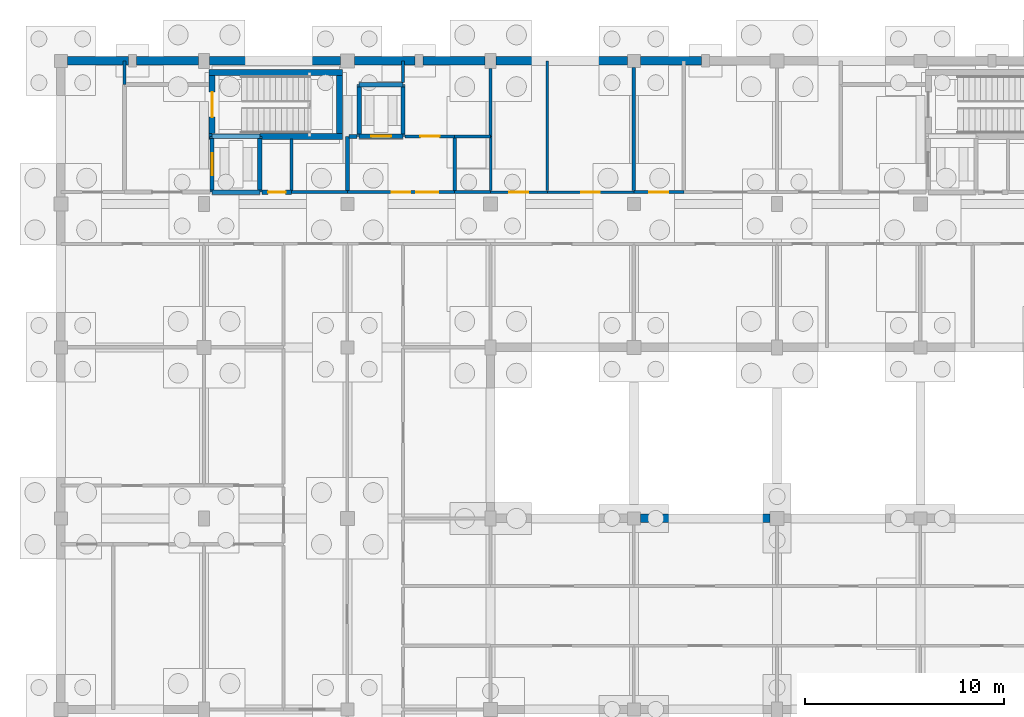
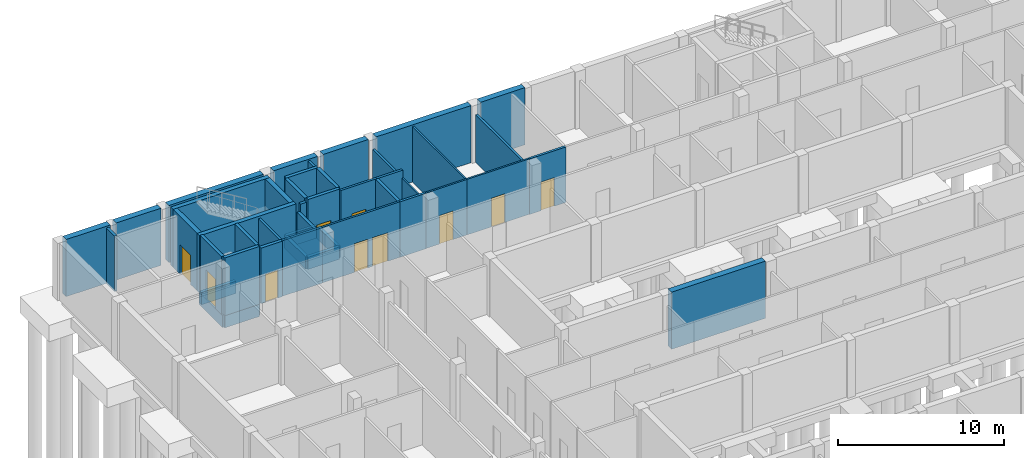
# One storey, part 12 of 17: 46 walls, 10 doors, 10 openings.
"""IFC4 building model written with IfcOpenShell, lengths in metres."""

import ifcopenshell
import ifcopenshell.guid

model = None  # the IFC model being written
_history = None  # IfcOwnerHistory: only IFC2X3 demands one
_inside = {}  # id of a spatial element -> (the spatial element, [elements in it])
_under = {}  # id of a project, library or spatial element -> (it, [spatial elements below it])
_declared = {}  # id of a project -> (the project, [libraries it declares])
_typed = {}  # id of a type object -> (the type object, [elements of that type])
_made_of = {}  # id of a material, layer set ... -> (it, [elements and type objects made of it])


def new_model(schema):
    """Start an empty IFC model of exactly this schema.

    Asked for "IFC4X3", IfcOpenShell would pick the latest addendum, in which some entities
    have other attributes; the version numbers below select the first issue.
    IFC2X3 requires an IfcOwnerHistory on every rooted entity: one is made here for all.
    """
    global model, _history
    if schema == "IFC4X3":
        model = ifcopenshell.file(schema_version=(4, 3, 0, 0))
    else:
        model = ifcopenshell.file(schema=schema)
    _inside.clear()
    _under.clear()
    _declared.clear()
    _typed.clear()
    _made_of.clear()
    _history = None
    if model.schema == "IFC2X3":
        org = make("IfcOrganization", Name="unknown")
        user = make(
            "IfcPersonAndOrganization",
            ThePerson=make("IfcPerson", FamilyName="unknown"),
            TheOrganization=org,
        )
        app = make(
            "IfcApplication",
            ApplicationDeveloper=org,
            Version="unknown",
            ApplicationFullName="unknown",
            ApplicationIdentifier="unknown",
        )
        _history = make(
            "IfcOwnerHistory",
            OwningUser=user,
            OwningApplication=app,
            ChangeAction="ADDED",
            CreationDate=0,
        )
    return model


def make(cls, **values):
    """One entity of the class cls with the attributes given. An attribute that is None is left unset."""
    return model.create_entity(
        cls, **{name: value for name, value in values.items() if value is not None}
    )


def rooted(cls, **values):
    """An entity with a GlobalId (a new one), such as an element, a storey or a relation."""
    return make(cls, GlobalId=ifcopenshell.guid.new(), OwnerHistory=_history, **values)


def si_unit(unit_type, name, prefix=None):
    """IfcSIUnit, for example si_unit("LENGTHUNIT", "METRE", prefix="MILLI")."""
    return make("IfcSIUnit", UnitType=unit_type, Prefix=prefix, Name=name)


def assignment(units):
    """IfcUnitAssignment: the units of a project."""
    return None if units is None else make("IfcUnitAssignment", Units=units)


def point(xyz):
    """IfcCartesianPoint."""
    return None if xyz is None else make("IfcCartesianPoint", Coordinates=xyz)


def direction(xyz):
    """IfcDirection."""
    return None if xyz is None else make("IfcDirection", DirectionRatios=xyz)


def frame(location, z_axis=None, x_axis=None):
    """IfcAxis2Placement3D, a coordinate frame: its origin and axes. An axis left out is left unset."""
    return make(
        "IfcAxis2Placement3D",
        Location=point(location),
        Axis=direction(z_axis),
        RefDirection=direction(x_axis),
    )


def frame_2d(location, x_axis=None):
    """IfcAxis2Placement2D, a coordinate frame in the plane: its origin and x axis."""
    return make(
        "IfcAxis2Placement2D", Location=point(location), RefDirection=direction(x_axis)
    )


def origin():
    """The frame at (0, 0, 0) with its axes left unset."""
    return frame((0.0, 0.0, 0.0))


def place(relative_to, where):
    """IfcLocalPlacement: puts the frame where relative to a parent placement (None: the world)."""
    return make(
        "IfcLocalPlacement", PlacementRelTo=relative_to, RelativePlacement=where
    )


def context(
    kind, dimensions, precision=None, world=None, true_north=None, identifier=None
):
    """IfcGeometricRepresentationContext, for example the 3D "Model" context."""
    return make(
        "IfcGeometricRepresentationContext",
        ContextIdentifier=identifier,
        ContextType=kind,
        CoordinateSpaceDimension=dimensions,
        Precision=precision,
        WorldCoordinateSystem=world,
        TrueNorth=true_north,
    )


def subcontext(parent, identifier, kind, view, scale=None):
    """IfcGeometricRepresentationSubContext, for example "Body" below "Model"."""
    return make(
        "IfcGeometricRepresentationSubContext",
        ContextIdentifier=identifier,
        ContextType=kind,
        ParentContext=parent,
        TargetScale=scale,
        TargetView=view,
    )


def project(units=None, contexts=None):
    """IfcProject with its units and contexts."""
    return rooted(
        "IfcProject",
        Name="project",
        RepresentationContexts=contexts,
        UnitsInContext=assignment(units),
    )


def spatial(cls, under=None, at=None, **own):
    """A site, building, storey or space (cls), placed at a placement, below another one or the project."""
    s = rooted(cls, ObjectPlacement=at, **own)
    if under is not None:
        _under.setdefault(under.id(), (under, []))[1].append(s)
    return s


def profile(cls, at=None, kind="AREA", **sizes):
    """A parametric profile (cls). Its sizes go by their IFC names, for example OverallWidth=200.0."""
    return make(cls, ProfileType=kind, Position=at, **sizes)


def rectangle(**sizes):
    """IfcRectangleProfileDef."""
    return profile("IfcRectangleProfileDef", **sizes)


def extrude(swept, where, along, depth):
    """IfcExtrudedAreaSolid: the profile swept, set in the frame where, extruded along a direction by depth."""
    return make(
        "IfcExtrudedAreaSolid",
        SweptArea=swept,
        Position=where,
        ExtrudedDirection=direction(along),
        Depth=depth,
    )


def shape(context_of_items, identifier, shape_type, items):
    """IfcShapeRepresentation: the items that make up one representation, for example the "Body"."""
    return make(
        "IfcShapeRepresentation",
        ContextOfItems=context_of_items,
        RepresentationIdentifier=identifier,
        RepresentationType=shape_type,
        Items=items,
    )


def material(Name=None, Category=None):
    """IfcMaterial."""
    return make("IfcMaterial", Name=Name, Category=Category)


def layer(
    of_material, thickness, ventilated=None, Name=None, Category=None, Priority=None
):
    """IfcMaterialLayer: one layer of a wall or slab, of a material (None: an air gap)."""
    return make(
        "IfcMaterialLayer",
        Material=of_material,
        LayerThickness=thickness,
        IsVentilated=ventilated,
        Name=Name,
        Category=Category,
        Priority=Priority,
    )


def layer_set(layers, Name=None):
    """IfcMaterialLayerSet."""
    return make("IfcMaterialLayerSet", MaterialLayers=layers, LayerSetName=Name)


def made_of(thing, what):
    """Note that an element or type object is made of a material, layer set ...; save() writes the relation."""
    if what is not None:
        _made_of.setdefault(what.id(), (what, []))[1].append(thing)
    return thing


def type_object(cls, material=None, **own):
    """A type object (cls), such as IfcWallType, which elements share."""
    return made_of(rooted(cls, **own), material)


def element(
    cls,
    number,
    at=None,
    inside=None,
    cuts=None,
    type_object=None,
    material=None,
    context=None,
    identifier="Body",
    shape_type=None,
    held_by="IfcProductDefinitionShape",
    body=None,
    shapes=None,
    **own,
):
    """One element of the class cls, such as IfcWall. Its Tag is "e" and its number.

    at: its placement. inside: the storey or other place that contains it. cuts: it is an
    opening in that element (IfcRelVoidsElement). A single representation is given by context,
    identifier, shape_type and body (its items); several are given by shapes. held_by: the class
    of the entity that holds the representations. save() writes the other relations.
    """
    e = rooted(cls, Tag="e%d" % number, ObjectPlacement=at, **own)
    if body is not None:
        shapes = [shape(context, identifier, shape_type, body)]
    if shapes is not None:
        e.Representation = make(held_by, Representations=shapes)
    if inside is not None:
        _inside.setdefault(inside.id(), (inside, []))[1].append(e)
    if cuts is not None:
        rooted(
            "IfcRelVoidsElement", RelatingBuildingElement=cuts, RelatedOpeningElement=e
        )
    if type_object is not None:
        _typed.setdefault(type_object.id(), (type_object, []))[1].append(e)
    return made_of(e, material)


def fill(opening, filler):
    """IfcRelFillsElement: the door or window that sits in an opening."""
    return rooted(
        "IfcRelFillsElement",
        RelatingOpeningElement=opening,
        RelatedBuildingElement=filler,
    )


def aggregate(whole, parts):
    """IfcRelAggregates: a whole, such as a stair, and the parts it consists of."""
    return rooted("IfcRelAggregates", RelatingObject=whole, RelatedObjects=parts)


def save(model, path):
    """Write the relations noted so far, then the file.

    IfcRelAggregates (storeys below a building ...), IfcRelContainedInSpatialStructure (elements
    in a storey), IfcRelDefinesByType, IfcRelAssociatesMaterial and IfcRelDeclares: one each for
    every whole, place, type object, material and project.
    """
    for whole, parts in _under.values():
        aggregate(whole, parts)
    for where, things in _inside.values():
        rooted(
            "IfcRelContainedInSpatialStructure",
            RelatedElements=things,
            RelatingStructure=where,
        )
    for kind, things in _typed.values():
        rooted("IfcRelDefinesByType", RelatedObjects=things, RelatingType=kind)
    for what, things in _made_of.values():
        rooted("IfcRelAssociatesMaterial", RelatedObjects=things, RelatingMaterial=what)
    for by, libraries in _declared.values():
        rooted("IfcRelDeclares", RelatingContext=by, RelatedDefinitions=libraries)
    model.write(path)


model = new_model("IFC4")

# Units and contexts
model_context = context("Model", 3, precision=1e-05, world=origin(), true_north=direction((0.0, 1.0)))
body_context = subcontext(model_context, "Body", "Model", "MODEL_VIEW")
ifc_project = project(units=[si_unit("LENGTHUNIT", "METRE"), si_unit("AREAUNIT", "SQUARE_METRE"), si_unit("VOLUMEUNIT", "CUBIC_METRE"), si_unit("PLANEANGLEUNIT", "RADIAN"), si_unit("MASSUNIT", "GRAM", prefix="KILO")], contexts=[model_context])

# Site, building, storey
site_placement = place(None, origin())
site = spatial("IfcSite", under=ifc_project, at=site_placement, CompositionType="ELEMENT")
building_placement = place(site_placement, origin())
building = spatial("IfcBuilding", under=site, at=building_placement, Name="Hawrajan Terrace Health Centre", CompositionType="ELEMENT")
storey_placement = place(building_placement, frame((0.0, 0.0, -4.5)))
storey = spatial("IfcBuildingStorey", under=building, at=storey_placement, Name="B1", CompositionType="ELEMENT", Elevation=-4.5)

# Wall, openings, doors
ifc_material_1 = material(Name="Gypsum board on acoustic stud framing")
ifc_layer_1 = layer(ifc_material_1, 0.139892578125)
ifc_layer_set_1 = layer_set([ifc_layer_1], Name="Gypsum board on acoustic stud framing")
wall_type_1 = type_object("IfcWallType", Name="ClinicalAcousticWall_140", PredefinedType="PARTITIONING", material=ifc_layer_set_1)
wall_1_placement = place(storey_placement, frame((19.0, 53.199951171875, 0.0), z_axis=(0.0, 0.0, 1.0), x_axis=(1.0, 0.0, 0.0)))
wall_1 = element("IfcWall", 1, at=wall_1_placement, inside=storey, type_object=wall_type_1, Name="Interior wall IW-B1-0044", PredefinedType="PARTITIONING", context=body_context, shape_type="SweptSolid", body=[
    extrude(rectangle(XDim=5.39990234375, YDim=0.139892578125, at=frame_2d((2.699951171875, 0.0))), origin(), (0.0, 0.0, 1.0), 4.080078125),
])
opening_1_placement = place(wall_1_placement, frame((2.239990234375, 0.0, 0.0)))
opening_1 = element("IfcOpeningElement", 2, at=opening_1_placement, cuts=wall_1, Name="Opening D-B1-009", PredefinedType="OPENING", context=body_context, shape_type="SweptSolid", body=[
    extrude(rectangle(XDim=0.919921875, YDim=2.10009765625, at=frame_2d((0.4599609375, 1.050048828125))), frame((0.0, 0.079833984375, 0.0), z_axis=(0.0, -1.0, 0.0), x_axis=(1.0, 0.0, 0.0)), (0.0, 0.0, 1.0), 0.159912109375),
])
opening_2_placement = place(wall_1_placement, frame((3.469970703125, 0.0, 0.0)))
opening_2 = element("IfcOpeningElement", 3, at=opening_2_placement, cuts=wall_1, Name="Opening D-B1-010", PredefinedType="OPENING", context=body_context, shape_type="SweptSolid", body=[
    extrude(rectangle(XDim=1.10009765625, YDim=2.10009765625, at=frame_2d((0.550048828125, 1.050048828125))), frame((0.0, 0.079833984375, 0.0), z_axis=(0.0, -1.0, 0.0), x_axis=(1.0, 0.0, 0.0)), (0.0, 0.0, 1.0), 0.159912109375),
])
ifc_material_2 = material(Name="Hardwood acoustic clinical door leaf and frame", Category="wood")
door_type_1 = type_object("IfcDoorType", Name="ConsultDoor_1100x2100", OperationType="NOTDEFINED", PredefinedType="DOOR", material=ifc_material_2)
door_1_placement = place(opening_2_placement, origin())
door_1 = element("IfcDoor", 4, at=door_1_placement, inside=storey, type_object=door_type_1, Name="Interior door D-B1-010", OperationType="SINGLE_SWING_RIGHT", OverallHeight=2.10009765625, OverallWidth=1.10009765625, PredefinedType="DOOR", context=body_context, shape_type="SweptSolid", body=[
    extrude(rectangle(XDim=1.10009765625, YDim=2.10009765625, at=frame_2d((0.550048828125, 1.050048828125))), frame((0.0, 0.02490234375, 0.0), z_axis=(0.0, -1.0, 0.0), x_axis=(1.0, 0.0, 0.0)), (0.0, 0.0, 1.0), 0.050048828125),
])
fill(opening_2, door_1)
door_type_2 = type_object("IfcDoorType", Name="StaffOfficeDoor_920x2100", OperationType="NOTDEFINED", PredefinedType="DOOR", material=ifc_material_2)
door_2_placement = place(opening_1_placement, origin())
door_2 = element("IfcDoor", 5, at=door_2_placement, inside=storey, type_object=door_type_2, Name="Interior door D-B1-009", OperationType="SINGLE_SWING_LEFT", OverallHeight=2.10009765625, OverallWidth=0.919921875, PredefinedType="DOOR", context=body_context, shape_type="SweptSolid", body=[
    extrude(rectangle(XDim=0.919921875, YDim=2.10009765625, at=frame_2d((0.4599609375, 1.050048828125))), frame((0.0, 0.02490234375, 0.0), z_axis=(0.0, -1.0, 0.0), x_axis=(1.0, 0.0, 0.0)), (0.0, 0.0, 1.0), 0.050048828125),
])
fill(opening_1, door_2)

# Walls
ifc_material_3 = material(Name="Concrete C40/50", Category="concrete")
ifc_layer_2 = layer(ifc_material_3, 0.300048828125)
ifc_layer_set_2 = layer_set([ifc_layer_2], Name="Concrete C40/50")
wall_type_2 = type_object("IfcWallType", Name="CoreShearWall_RC300", PredefinedType="SHEAR", material=ifc_layer_set_2)
for number, where, z_axis, x_axis, name in (
    (6, (12.050048828125, 56.0, 0.0), (0.0, 0.0, 1.0), (1.0, 0.0, 0.0), "Core shear wall SW-C1-B1-S"),
    (7, (12.050048828125, 59.199951171875, 0.0), (0.0, 0.0, 1.0), (1.0, 0.0, 0.0), "Core shear wall SW-C1-B1-N"),
):
    element("IfcWall", number, at=place(storey_placement, frame(where, z_axis=z_axis, x_axis=x_axis)), inside=storey, type_object=wall_type_2, Name=name, PredefinedType="SHEAR", context=body_context, shape_type="SweptSolid", body=[
        extrude(rectangle(XDim=6.699951171875, YDim=0.300048828125, at=frame_2d((3.35009765625, 0.0))), origin(), (0.0, 0.0, 1.0), 4.25),
    ])

# Wall, opening, door
wall_2_placement = place(storey_placement, frame((12.199951171875, 56.14990234375, 0.0), z_axis=(0.0, 0.0, 1.0), x_axis=(0.0, 1.0, 0.0)))
wall_2 = element("IfcWall", 8, at=wall_2_placement, inside=storey, type_object=wall_type_2, Name="Core shear wall SW-C1-B1-W", PredefinedType="SHEAR", context=body_context, shape_type="SweptSolid", body=[
    extrude(rectangle(XDim=2.900146484375, YDim=0.300048828125, at=frame_2d((1.4501953125, 0.0))), origin(), (0.0, 0.0, 1.0), 4.25),
])
opening_3_placement = place(wall_2_placement, frame((0.824951171875, 0.0, 0.0)))
opening_3 = element("IfcOpeningElement", 9, at=opening_3_placement, cuts=wall_2, Name="Opening D-B1-001", PredefinedType="OPENING", context=body_context, shape_type="SweptSolid", body=[
    extrude(rectangle(XDim=1.25, YDim=2.14990234375, at=frame_2d((0.625, 1.074951171875))), frame((0.0, 0.159912109375, 0.0), z_axis=(0.0, -1.0, 0.0), x_axis=(1.0, 0.0, 0.0)), (0.0, 0.0, 1.0), 0.320068359375),
])
ifc_material_4 = material(Name="Timber-veneered acoustic fire-resisting door assembly", Category="wood")
door_type_3 = type_object("IfcDoorType", Name="CoreStairDoor_1250x2150", OperationType="NOTDEFINED", PredefinedType="DOOR", material=ifc_material_4)
door_3_placement = place(opening_3_placement, origin())
door_3 = element("IfcDoor", 10, at=door_3_placement, inside=storey, type_object=door_type_3, Name="Interior door D-B1-001", OperationType="SINGLE_SWING_LEFT", OverallHeight=2.14990234375, OverallWidth=1.25, PredefinedType="DOOR", context=body_context, shape_type="SweptSolid", body=[
    extrude(rectangle(XDim=1.25, YDim=2.14990234375, at=frame_2d((0.625, 1.074951171875))), frame((0.0, 0.02490234375, 0.0), z_axis=(0.0, -1.0, 0.0), x_axis=(1.0, 0.0, 0.0)), (0.0, 0.0, 1.0), 0.050048828125),
])
fill(opening_3, door_3)

# Wall
wall_3_placement = place(storey_placement, frame((18.60009765625, 56.14990234375, 0.0), z_axis=(0.0, 0.0, 1.0), x_axis=(0.0, 1.0, 0.0)))
element("IfcWall", 11, at=wall_3_placement, inside=storey, type_object=wall_type_2, Name="Core shear wall SW-C1-B1-E", PredefinedType="SHEAR", context=body_context, shape_type="SweptSolid", body=[
    extrude(rectangle(XDim=2.900146484375, YDim=0.300048828125, at=frame_2d((1.4501953125, 0.0))), origin(), (0.0, 0.0, 1.0), 4.25),
])

# Wall, opening, door
ifc_layer_3 = layer(ifc_material_1, 0.159912109375)
ifc_layer_set_3 = layer_set([ifc_layer_3], Name="Gypsum board on acoustic stud framing")
wall_type_3 = type_object("IfcWallType", Name="CorridorFireWall_160", PredefinedType="PARTITIONING", material=ifc_layer_set_3)
wall_4_placement = place(storey_placement, frame((21.909912109375, 56.0, 0.0), z_axis=(0.0, 0.0, 1.0), x_axis=(1.0, 0.0, 0.0)))
wall_4 = element("IfcWall", 12, at=wall_4_placement, inside=storey, type_object=wall_type_3, Name="Interior wall IW-B1-0062", PredefinedType="PARTITIONING", context=body_context, shape_type="SweptSolid", body=[
    extrude(rectangle(XDim=2.489990234375, YDim=0.159912109375, at=frame_2d((1.2451171875, 0.0))), origin(), (0.0, 0.0, 1.0), 4.080078125),
])
opening_4_placement = place(wall_4_placement, frame((0.764892578125, 0.0, 0.0)))
opening_4 = element("IfcOpeningElement", 13, at=opening_4_placement, cuts=wall_4, Name="Opening D-B1-053", PredefinedType="OPENING", context=body_context, shape_type="SweptSolid", body=[
    extrude(rectangle(XDim=0.9599609375, YDim=2.10009765625, at=frame_2d((0.47998046875, 1.050048828125))), frame((0.0, 0.08984375, 0.0), z_axis=(0.0, -1.0, 0.0), x_axis=(1.0, 0.0, 0.0)), (0.0, 0.0, 1.0), 0.179931640625),
])
door_type_4 = type_object("IfcDoorType", Name="ClinicalFireDoor_960x2100", OperationType="NOTDEFINED", PredefinedType="DOOR", material=ifc_material_4)
door_4_placement = place(opening_4_placement, origin())
door_4 = element("IfcDoor", 14, at=door_4_placement, inside=storey, type_object=door_type_4, Name="Interior door D-B1-053", OperationType="SINGLE_SWING_LEFT", OverallHeight=2.10009765625, OverallWidth=0.9599609375, PredefinedType="DOOR", context=body_context, shape_type="SweptSolid", body=[
    extrude(rectangle(XDim=0.9599609375, YDim=2.10009765625, at=frame_2d((0.47998046875, 1.050048828125))), frame((0.0, 0.02490234375, 0.0), z_axis=(0.0, -1.0, 0.0), x_axis=(1.0, 0.0, 0.0)), (0.0, 0.0, 1.0), 0.050048828125),
])
fill(opening_4, door_4)

# Walls
wall_5_placement = place(storey_placement, frame((26.199951171875, 56.0, 0.0), z_axis=(0.0, 0.0, 1.0), x_axis=(0.0, 1.0, 0.0)))
element("IfcWall", 15, at=wall_5_placement, inside=storey, type_object=wall_type_3, Name="Interior wall IW-B1-0074", PredefinedType="PARTITIONING", context=body_context, shape_type="SweptSolid", body=[
    extrude(rectangle(XDim=3.425048828125, YDim=0.159912109375, at=frame_2d((1.71240234375, 0.0))), origin(), (0.0, 0.0, 1.0), 3.5),
])
wall_6_placement = place(storey_placement, frame((33.39990234375, 53.27001953125, 0.0), z_axis=(0.0, 0.0, 1.0), x_axis=(0.0, 1.0, 0.0)))
element("IfcWall", 16, at=wall_6_placement, inside=storey, type_object=wall_type_3, Name="Interior wall IW-B1-0089", PredefinedType="PARTITIONING", context=body_context, shape_type="SweptSolid", body=[
    extrude(rectangle(XDim=6.205078125, YDim=0.159912109375, at=frame_2d((3.1025390625, 0.0))), origin(), (0.0, 0.0, 1.0), 3.5),
])

# Wall, opening, door
wall_7_placement = place(storey_placement, frame((33.39990234375, 53.199951171875, 0.0), z_axis=(0.0, 0.0, 1.0), x_axis=(1.0, 0.0, 0.0)))
wall_7 = element("IfcWall", 17, at=wall_7_placement, inside=storey, type_object=wall_type_3, Name="Interior wall IW-B1-0090", PredefinedType="PARTITIONING", context=body_context, shape_type="SweptSolid", body=[
    extrude(rectangle(XDim=2.51318359375, YDim=0.159912109375, at=frame_2d((1.256591796875, 0.0))), origin(), (0.0, 0.0, 1.0), 4.080078125),
])
opening_5_placement = place(wall_7_placement, frame((0.776611328125, 0.0, 0.0)))
opening_5 = element("IfcOpeningElement", 18, at=opening_5_placement, cuts=wall_7, Name="Opening D-B1-056", PredefinedType="OPENING", context=body_context, shape_type="SweptSolid", body=[
    extrude(rectangle(XDim=0.9599609375, YDim=2.10009765625, at=frame_2d((0.47998046875, 1.050048828125))), frame((0.0, 0.08984375, 0.0), z_axis=(0.0, -1.0, 0.0), x_axis=(1.0, 0.0, 0.0)), (0.0, 0.0, 1.0), 0.179931640625),
])
door_5_placement = place(opening_5_placement, origin())
door_5 = element("IfcDoor", 19, at=door_5_placement, inside=storey, type_object=door_type_4, Name="Interior door D-B1-056", OperationType="SINGLE_SWING_RIGHT", OverallHeight=2.10009765625, OverallWidth=0.9599609375, PredefinedType="DOOR", context=body_context, shape_type="SweptSolid", body=[
    extrude(rectangle(XDim=0.9599609375, YDim=2.10009765625, at=frame_2d((0.47998046875, 1.050048828125))), frame((0.0, 0.02490234375, 0.0), z_axis=(0.0, -1.0, 0.0), x_axis=(1.0, 0.0, 0.0)), (0.0, 0.0, 1.0), 0.050048828125),
])
fill(opening_5, door_5)

# Walls
wall_8_placement = place(storey_placement, frame((16.199951171875, 53.27001953125, 0.0), z_axis=(0.0, 0.0, 1.0), x_axis=(0.0, 1.0, 0.0)))
element("IfcWall", 20, at=wall_8_placement, inside=storey, type_object=wall_type_3, Name="Interior wall IW-B1-0171", PredefinedType="PARTITIONING", context=body_context, shape_type="SweptSolid", body=[
    extrude(rectangle(XDim=2.590087890625, YDim=0.159912109375, at=frame_2d((1.294921875, 0.0))), origin(), (0.0, 0.0, 1.0), 4.080078125),
])
wall_9_placement = place(storey_placement, frame((26.199951171875, 53.199951171875, 0.0), z_axis=(0.0, 0.0, 1.0), x_axis=(-1.0, 0.0, 0.0)))
element("IfcWall", 21, at=wall_9_placement, inside=storey, type_object=wall_type_3, Name="Interior wall IW-B1-0183", PredefinedType="PARTITIONING", context=body_context, shape_type="SweptSolid", body=[
    extrude(rectangle(XDim=1.800048828125, YDim=0.159912109375, at=frame_2d((0.89990234375, 0.0))), origin(), (0.0, 0.0, 1.0), 4.080078125),
])
wall_10_placement = place(storey_placement, frame((19.0, 53.199951171875, 0.0), z_axis=(0.0, 0.0, 1.0), x_axis=(-1.0, 0.0, 0.0)))
element("IfcWall", 22, at=wall_10_placement, inside=storey, type_object=wall_type_3, Name="Interior wall IW-B1-0184", PredefinedType="PARTITIONING", context=body_context, shape_type="SweptSolid", body=[
    extrude(rectangle(XDim=2.800048828125, YDim=0.159912109375, at=frame_2d((1.39990234375, 0.0))), origin(), (0.0, 0.0, 1.0), 4.080078125),
])
wall_11_placement = place(storey_placement, frame((7.800048828125, 58.60009765625, 0.0), z_axis=(0.0, 0.0, 1.0), x_axis=(0.0, 1.0, 0.0)))
element("IfcWall", 23, at=wall_11_placement, inside=storey, type_object=wall_type_3, Name="Interior wall IW-B1-0190", PredefinedType="PARTITIONING", context=body_context, shape_type="SweptSolid", body=[
    extrude(rectangle(XDim=1.199951171875, YDim=0.159912109375, at=frame_2d((0.60009765625, 0.0))), origin(), (0.0, 0.0, 1.0), 4.080078125),
])
wall_12_placement = place(storey_placement, frame((24.39990234375, 56.0, 0.0), z_axis=(0.0, 0.0, 1.0), x_axis=(1.0, 0.0, 0.0)))
element("IfcWall", 24, at=wall_12_placement, inside=storey, type_object=wall_type_3, Name="Interior wall IW-B1-0191", PredefinedType="PARTITIONING", context=body_context, shape_type="SweptSolid", body=[
    extrude(rectangle(XDim=1.800048828125, YDim=0.159912109375, at=frame_2d((0.89990234375, 0.0))), origin(), (0.0, 0.0, 1.0), 4.080078125),
])
wall_13_placement = place(storey_placement, frame((21.800048828125, 58.7099609375, 0.0), z_axis=(0.0, 0.0, 1.0), x_axis=(0.0, 1.0, 0.0)))
element("IfcWall", 25, at=wall_13_placement, inside=storey, type_object=wall_type_3, Name="Interior wall IW-B1-0192", PredefinedType="PARTITIONING", context=body_context, shape_type="SweptSolid", body=[
    extrude(rectangle(XDim=1.090087890625, YDim=0.159912109375, at=frame_2d((0.544921875, 0.0))), origin(), (0.0, 0.0, 1.0), 4.080078125),
])
ifc_material_5 = material(Name="Cross-laminated timber CLT C24", Category="wood")
ifc_layer_4 = layer(ifc_material_5, 0.199951171875)
ifc_layer_set_4 = layer_set([ifc_layer_4], Name="Cross-laminated timber CLT C24")
wall_type_4 = type_object("IfcWallType", Name="FireCompartmentWall_200", PredefinedType="PARTITIONING", material=ifc_layer_set_4)
wall_14_placement = place(storey_placement, frame((24.39990234375, 53.27001953125, 0.0), z_axis=(0.0, 0.0, 1.0), x_axis=(0.0, 1.0, 0.0)))
element("IfcWall", 26, at=wall_14_placement, inside=storey, type_object=wall_type_4, Name="Interior wall IW-B1-0179", PredefinedType="PARTITIONING", context=body_context, shape_type="SweptSolid", body=[
    extrude(rectangle(XDim=2.659912109375, YDim=0.199951171875, at=frame_2d((1.330078125, 0.0))), origin(), (0.0, 0.0, 1.0), 4.080078125),
])
wall_15_placement = place(storey_placement, frame((19.489990234375, 56.0, 0.0), z_axis=(0.0, 0.0, 1.0), x_axis=(-1.0, 0.0, 0.0)))
element("IfcWall", 27, at=wall_15_placement, inside=storey, type_object=wall_type_4, Name="Interior wall IW-B1-0180", PredefinedType="PARTITIONING", context=body_context, shape_type="SweptSolid", body=[
    extrude(rectangle(XDim=0.409912109375, YDim=0.199951171875, at=frame_2d((0.205078125, 0.0))), origin(), (0.0, 0.0, 1.0), 4.080078125),
])
wall_16_placement = place(storey_placement, frame((19.0, 53.27001953125, 0.0), z_axis=(0.0, 0.0, 1.0), x_axis=(0.0, 1.0, 0.0)))
element("IfcWall", 28, at=wall_16_placement, inside=storey, type_object=wall_type_4, Name="Interior wall IW-B1-0181", PredefinedType="PARTITIONING", context=body_context, shape_type="SweptSolid", body=[
    extrude(rectangle(XDim=2.72998046875, YDim=0.199951171875, at=frame_2d((1.364990234375, 0.0))), origin(), (0.0, 0.0, 1.0), 3.5),
])
ifc_layer_5 = layer(ifc_material_3, 0.419921875)
ifc_layer_set_5 = layer_set([ifc_layer_5], Name="Concrete C40/50")
wall_type_5 = type_object("IfcWallType", Name="RetainingWall_RC420", PredefinedType="USERDEFINED", material=ifc_layer_set_5)
wall_17_placement = place(storey_placement, frame((4.925048828125, 59.800048828125, 0.0), z_axis=(0.0, 0.0, 1.0), x_axis=(1.0, 0.0, 0.0)))
element("IfcWall", 29, at=wall_17_placement, inside=storey, type_object=wall_type_5, Name="Exterior wall EW-B1-H00-07-1", ObjectType="RETAINING WALL", PredefinedType="USERDEFINED", context=body_context, shape_type="SweptSolid", body=[
    extrude(rectangle(XDim=3.074951171875, YDim=0.419921875, at=frame_2d((1.53759765625, 0.0))), origin(), (0.0, 0.0, 1.0), 4.199951171875),
])
wall_18_placement = place(storey_placement, frame((8.39990234375, 59.800048828125, 0.0), z_axis=(0.0, 0.0, 1.0), x_axis=(1.0, 0.0, 0.0)))
element("IfcWall", 30, at=wall_18_placement, inside=storey, type_object=wall_type_5, Name="Exterior wall EW-B1-H00-07-2", ObjectType="RETAINING WALL", PredefinedType="USERDEFINED", context=body_context, shape_type="SweptSolid", body=[
    extrude(rectangle(XDim=3.125, YDim=0.419921875, at=frame_2d((1.5625, 0.0))), origin(), (0.0, 0.0, 1.0), 4.199951171875),
])
wall_19_placement = place(storey_placement, frame((12.074951171875, 59.800048828125, 0.0), z_axis=(0.0, 0.0, 1.0), x_axis=(1.0, 0.0, 0.0)))
element("IfcWall", 31, at=wall_19_placement, inside=storey, type_object=wall_type_5, Name="Exterior wall EW-B1-H01-07-1", ObjectType="RETAINING WALL", PredefinedType="USERDEFINED", context=body_context, shape_type="SweptSolid", body=[
    extrude(rectangle(XDim=6.574951171875, YDim=0.419921875, at=frame_2d((3.28759765625, 0.0))), origin(), (0.0, 0.0, 1.0), 4.199951171875),
])
wall_20_placement = place(storey_placement, frame((19.35009765625, 59.800048828125, 0.0), z_axis=(0.0, 0.0, 1.0), x_axis=(1.0, 0.0, 0.0)))
element("IfcWall", 32, at=wall_20_placement, inside=storey, type_object=wall_type_5, Name="Exterior wall EW-B1-H02-07-1", ObjectType="RETAINING WALL", PredefinedType="USERDEFINED", context=body_context, shape_type="SweptSolid", body=[
    extrude(rectangle(XDim=3.0498046875, YDim=0.419921875, at=frame_2d((1.52490234375, 0.0))), origin(), (0.0, 0.0, 1.0), 4.199951171875),
])
wall_21_placement = place(storey_placement, frame((22.800048828125, 59.800048828125, 0.0), z_axis=(0.0, 0.0, 1.0), x_axis=(1.0, 0.0, 0.0)))
element("IfcWall", 33, at=wall_21_placement, inside=storey, type_object=wall_type_5, Name="Exterior wall EW-B1-H02-07-2", ObjectType="RETAINING WALL", PredefinedType="USERDEFINED", context=body_context, shape_type="SweptSolid", body=[
    extrude(rectangle(XDim=3.125, YDim=0.419921875, at=frame_2d((1.5625, 0.0))), origin(), (0.0, 0.0, 1.0), 4.199951171875),
])
wall_22_placement = place(storey_placement, frame((26.47509765625, 59.800048828125, 0.0), z_axis=(0.0, 0.0, 1.0), x_axis=(1.0, 0.0, 0.0)))
element("IfcWall", 34, at=wall_22_placement, inside=storey, type_object=wall_type_5, Name="Exterior wall EW-B1-H03-07-1", ObjectType="RETAINING WALL", PredefinedType="USERDEFINED", context=body_context, shape_type="SweptSolid", body=[
    extrude(rectangle(XDim=6.599853515625, YDim=0.419921875, at=frame_2d((3.2998046875, 0.0))), origin(), (0.0, 0.0, 1.0), 4.199951171875),
])
wall_23_placement = place(storey_placement, frame((33.72509765625, 36.800048828125, 0.0), z_axis=(0.0, 0.0, 1.0), x_axis=(1.0, 0.0, 0.0)))
element("IfcWall", 35, at=wall_23_placement, inside=storey, type_object=wall_type_5, Name="Exterior wall EW-B1-H04-04-1", ObjectType="RETAINING WALL", PredefinedType="USERDEFINED", context=body_context, shape_type="SweptSolid", body=[
    extrude(rectangle(XDim=6.52490234375, YDim=0.419921875, at=frame_2d((3.262451171875, 0.0))), origin(), (0.0, 0.0, 1.0), 4.199951171875),
])
wall_24_placement = place(storey_placement, frame((33.72509765625, 59.800048828125, 0.0), z_axis=(0.0, 0.0, 1.0), x_axis=(1.0, 0.0, 0.0)))
element("IfcWall", 36, at=wall_24_placement, inside=storey, type_object=wall_type_5, Name="Exterior wall EW-B1-H04-07-1", ObjectType="RETAINING WALL", PredefinedType="USERDEFINED", context=body_context, shape_type="SweptSolid", body=[
    extrude(rectangle(XDim=3.074951171875, YDim=0.419921875, at=frame_2d((1.53759765625, 0.0))), origin(), (0.0, 0.0, 1.0), 4.199951171875),
])
ifc_layer_6 = layer(ifc_material_3, 0.219970703125)
ifc_layer_set_6 = layer_set([ifc_layer_6], Name="Concrete C40/50")
wall_type_6 = type_object("IfcWallType", Name="ShaftWall_RC220", PredefinedType="SOLIDWALL", material=ifc_layer_set_6)
wall_25_placement = place(storey_placement, frame((12.199951171875, 53.199951171875, 0.0), z_axis=(0.0, 0.0, 1.0), x_axis=(1.0, 0.0, 0.0)))
element("IfcWall", 37, at=wall_25_placement, inside=storey, type_object=wall_type_6, Name="Lift shaft wall LW-LC-01-B1-S", PredefinedType="SOLIDWALL", context=body_context, shape_type="SweptSolid", body=[
    extrude(rectangle(XDim=2.400146484375, YDim=0.219970703125, at=frame_2d((1.2001953125, 0.0))), origin(), (0.0, 0.0, 1.0), 4.25),
])

# Wall, opening, door
wall_26_placement = place(storey_placement, frame((12.199951171875, 53.31005859375, 0.0), z_axis=(0.0, 0.0, 1.0), x_axis=(0.0, 1.0, 0.0)))
wall_26 = element("IfcWall", 38, at=wall_26_placement, inside=storey, type_object=wall_type_6, Name="Lift shaft wall LW-LC-01-B1-W", PredefinedType="SOLIDWALL", context=body_context, shape_type="SweptSolid", body=[
    extrude(rectangle(XDim=2.579833984375, YDim=0.219970703125, at=frame_2d((1.2900390625, 0.0))), origin(), (0.0, 0.0, 1.0), 4.25),
])
opening_6_placement = place(wall_26_placement, frame((0.739990234375, 0.0, 0.0)))
opening_6 = element("IfcOpeningElement", 39, at=opening_6_placement, cuts=wall_26, Name="Opening LD-B1-LC-01", PredefinedType="OPENING", context=body_context, shape_type="SweptSolid", body=[
    extrude(rectangle(XDim=1.10009765625, YDim=2.14990234375, at=frame_2d((0.550048828125, 1.074951171875))), frame((0.0, 0.119873046875, 0.0), z_axis=(0.0, -1.0, 0.0), x_axis=(1.0, 0.0, 0.0)), (0.0, 0.0, 1.0), 0.239990234375),
])
ifc_material_6 = material(Name="Brushed bronze stainless-steel sliding lift landing door", Category="steel")
door_type_5 = type_object("IfcDoorType", Name="LiftLandingDoor_1100x2150", OperationType="SLIDING_TO_LEFT", PredefinedType="DOOR", material=ifc_material_6)
door_6_placement = place(opening_6_placement, origin())
door_6 = element("IfcDoor", 40, at=door_6_placement, inside=storey, type_object=door_type_5, Name="Lift landing door LD-B1-LC-01", OperationType="SLIDING_TO_LEFT", OverallHeight=2.14990234375, OverallWidth=1.10009765625, PredefinedType="DOOR", context=body_context, shape_type="SweptSolid", body=[
    extrude(rectangle(XDim=1.10009765625, YDim=2.14990234375, at=frame_2d((0.550048828125, 1.074951171875))), frame((0.0, 0.02490234375, 0.0), z_axis=(0.0, -1.0, 0.0), x_axis=(1.0, 0.0, 0.0)), (0.0, 0.0, 1.0), 0.050048828125),
])
fill(opening_6, door_6)

# Walls
wall_27_placement = place(storey_placement, frame((14.60009765625, 53.31005859375, 0.0), z_axis=(0.0, 0.0, 1.0), x_axis=(0.0, 1.0, 0.0)))
element("IfcWall", 41, at=wall_27_placement, inside=storey, type_object=wall_type_6, Name="Lift shaft wall LW-LC-01-B1-E", PredefinedType="SOLIDWALL", context=body_context, shape_type="SweptSolid", body=[
    extrude(rectangle(XDim=2.579833984375, YDim=0.219970703125, at=frame_2d((1.2900390625, 0.0))), origin(), (0.0, 0.0, 1.0), 4.25),
])
for number, where, z_axis, x_axis, name in (
    (42, (12.199951171875, 53.199951171875, -0.89990234375), (0.0, 0.0, 1.0), (0.0, 1.0, 0.0), "Lift pit wall LC-01-W"),
    (43, (14.60009765625, 53.199951171875, -0.89990234375), (0.0, 0.0, 1.0), (0.0, 1.0, 0.0), "Lift pit wall LC-01-E"),
):
    element("IfcWall", number, at=place(storey_placement, frame(where, z_axis=z_axis, x_axis=x_axis)), inside=storey, type_object=wall_type_6, Name=name, PredefinedType="SOLIDWALL", context=body_context, shape_type="SweptSolid", body=[
        extrude(rectangle(XDim=2.800048828125, YDim=0.219970703125, at=frame_2d((1.39990234375, 0.0))), origin(), (0.0, 0.0, 1.0), 0.89990234375),
    ])
for number, where, z_axis, x_axis, name in (
    (44, (12.199951171875, 53.199951171875, -0.89990234375), (0.0, 0.0, 1.0), (1.0, 0.0, 0.0), "Lift pit wall LC-01-S"),
    (45, (12.199951171875, 56.0, -0.89990234375), (0.0, 0.0, 1.0), (1.0, 0.0, 0.0), "Lift pit wall LC-01-N"),
):
    element("IfcWall", number, at=place(storey_placement, frame(where, z_axis=z_axis, x_axis=x_axis)), inside=storey, type_object=wall_type_6, Name=name, PredefinedType="SOLIDWALL", context=body_context, shape_type="SweptSolid", body=[
        extrude(rectangle(XDim=2.400146484375, YDim=0.219970703125, at=frame_2d((1.2001953125, 0.0))), origin(), (0.0, 0.0, 1.0), 0.89990234375),
    ])

# Wall, opening, door
wall_28_placement = place(storey_placement, frame((19.60009765625, 56.0, 0.0), z_axis=(0.0, 0.0, 1.0), x_axis=(1.0, 0.0, 0.0)))
wall_28 = element("IfcWall", 46, at=wall_28_placement, inside=storey, type_object=wall_type_6, Name="Lift shaft wall LW-LC-02-B1-S", PredefinedType="SOLIDWALL", context=body_context, shape_type="SweptSolid", body=[
    extrude(rectangle(XDim=2.199951171875, YDim=0.219970703125, at=frame_2d((1.10009765625, 0.0))), origin(), (0.0, 0.0, 1.0), 4.25),
])
opening_7_placement = place(wall_28_placement, frame((0.60009765625, 0.0, 0.0)))
opening_7 = element("IfcOpeningElement", 47, at=opening_7_placement, cuts=wall_28, Name="Opening LD-B1-LC-02", PredefinedType="OPENING", context=body_context, shape_type="SweptSolid", body=[
    extrude(rectangle(XDim=1.0, YDim=2.14990234375, at=frame_2d((0.5, 1.074951171875))), frame((0.0, 0.119873046875, 0.0), z_axis=(0.0, -1.0, 0.0), x_axis=(1.0, 0.0, 0.0)), (0.0, 0.0, 1.0), 0.239990234375),
])
door_type_6 = type_object("IfcDoorType", Name="LiftLandingDoor_1000x2150", OperationType="SLIDING_TO_LEFT", PredefinedType="DOOR", material=ifc_material_6)
door_7_placement = place(opening_7_placement, origin())
door_7 = element("IfcDoor", 48, at=door_7_placement, inside=storey, type_object=door_type_6, Name="Lift landing door LD-B1-LC-02", OperationType="SLIDING_TO_LEFT", OverallHeight=2.14990234375, OverallWidth=1.0, PredefinedType="DOOR", context=body_context, shape_type="SweptSolid", body=[
    extrude(rectangle(XDim=1.0, YDim=2.14990234375, at=frame_2d((0.5, 1.074951171875))), frame((0.0, 0.02490234375, 0.0), z_axis=(0.0, -1.0, 0.0), x_axis=(1.0, 0.0, 0.0)), (0.0, 0.0, 1.0), 0.050048828125),
])
fill(opening_7, door_7)

# Walls
wall_29_placement = place(storey_placement, frame((19.60009765625, 58.60009765625, 0.0), z_axis=(0.0, 0.0, 1.0), x_axis=(1.0, 0.0, 0.0)))
element("IfcWall", 49, at=wall_29_placement, inside=storey, type_object=wall_type_6, Name="Lift shaft wall LW-LC-02-B1-N", PredefinedType="SOLIDWALL", context=body_context, shape_type="SweptSolid", body=[
    extrude(rectangle(XDim=2.199951171875, YDim=0.219970703125, at=frame_2d((1.10009765625, 0.0))), origin(), (0.0, 0.0, 1.0), 4.25),
])
for number, where, z_axis, x_axis, name in (
    (50, (19.60009765625, 56.110107421875, 0.0), (0.0, 0.0, 1.0), (0.0, 1.0, 0.0), "Lift shaft wall LW-LC-02-B1-W"),
    (51, (21.800048828125, 56.110107421875, 0.0), (0.0, 0.0, 1.0), (0.0, 1.0, 0.0), "Lift shaft wall LW-LC-02-B1-E"),
):
    element("IfcWall", number, at=place(storey_placement, frame(where, z_axis=z_axis, x_axis=x_axis)), inside=storey, type_object=wall_type_6, Name=name, PredefinedType="SOLIDWALL", context=body_context, shape_type="SweptSolid", body=[
        extrude(rectangle(XDim=2.3798828125, YDim=0.219970703125, at=frame_2d((1.18994140625, 0.0))), origin(), (0.0, 0.0, 1.0), 4.25),
    ])
for number, where, z_axis, x_axis, name in (
    (52, (19.60009765625, 56.0, -0.89990234375), (0.0, 0.0, 1.0), (0.0, 1.0, 0.0), "Lift pit wall LC-02-W"),
    (53, (21.800048828125, 56.0, -0.89990234375), (0.0, 0.0, 1.0), (0.0, 1.0, 0.0), "Lift pit wall LC-02-E"),
):
    element("IfcWall", number, at=place(storey_placement, frame(where, z_axis=z_axis, x_axis=x_axis)), inside=storey, type_object=wall_type_6, Name=name, PredefinedType="SOLIDWALL", context=body_context, shape_type="SweptSolid", body=[
        extrude(rectangle(XDim=2.60009765625, YDim=0.219970703125, at=frame_2d((1.300048828125, 0.0))), origin(), (0.0, 0.0, 1.0), 0.89990234375),
    ])
for number, where, z_axis, x_axis, name in (
    (54, (19.60009765625, 56.0, -0.89990234375), (0.0, 0.0, 1.0), (1.0, 0.0, 0.0), "Lift pit wall LC-02-S"),
    (55, (19.60009765625, 58.60009765625, -0.89990234375), (0.0, 0.0, 1.0), (1.0, 0.0, 0.0), "Lift pit wall LC-02-N"),
):
    element("IfcWall", number, at=place(storey_placement, frame(where, z_axis=z_axis, x_axis=x_axis)), inside=storey, type_object=wall_type_6, Name=name, PredefinedType="SOLIDWALL", context=body_context, shape_type="SweptSolid", body=[
        extrude(rectangle(XDim=2.199951171875, YDim=0.219970703125, at=frame_2d((1.10009765625, 0.0))), origin(), (0.0, 0.0, 1.0), 0.89990234375),
    ])

# Wall, opening, door
wall_30_placement = place(storey_placement, frame((14.7099609375, 53.199951171875, 0.0), z_axis=(0.0, 0.0, 1.0), x_axis=(1.0, 0.0, 0.0)))
wall_30 = element("IfcWall", 56, at=wall_30_placement, inside=storey, type_object=wall_type_6, Name="Interior wall IW-B1-0028", PredefinedType="SOLIDWALL", context=body_context, shape_type="SweptSolid", body=[
    extrude(rectangle(XDim=1.489990234375, YDim=0.219970703125, at=frame_2d((0.7451171875, 0.0))), origin(), (0.0, 0.0, 1.0), 4.080078125),
])
opening_8_placement = place(wall_30_placement, frame((0.304931640625, 0.0, 0.0)))
opening_8 = element("IfcOpeningElement", 57, at=opening_8_placement, cuts=wall_30, Name="Opening D-B1-021", PredefinedType="OPENING", context=body_context, shape_type="SweptSolid", body=[
    extrude(rectangle(XDim=0.8798828125, YDim=2.050048828125, at=frame_2d((0.43994140625, 1.02490234375))), frame((0.0, 0.119873046875, 0.0), z_axis=(0.0, -1.0, 0.0), x_axis=(1.0, 0.0, 0.0)), (0.0, 0.0, 1.0), 0.239990234375),
])
door_type_7 = type_object("IfcDoorType", Name="RiserAccessDoor_880x2050", OperationType="NOTDEFINED", PredefinedType="DOOR", material=ifc_material_4)
door_8_placement = place(opening_8_placement, origin())
door_8 = element("IfcDoor", 58, at=door_8_placement, inside=storey, type_object=door_type_7, Name="Service riser access door D-B1-021", OperationType="SINGLE_SWING_LEFT", OverallHeight=2.050048828125, OverallWidth=0.8798828125, PredefinedType="DOOR", context=body_context, shape_type="SweptSolid", body=[
    extrude(rectangle(XDim=0.8798828125, YDim=2.050048828125, at=frame_2d((0.43994140625, 1.02490234375))), frame((0.0, 0.02490234375, 0.0), z_axis=(0.0, -1.0, 0.0), x_axis=(1.0, 0.0, 0.0)), (0.0, 0.0, 1.0), 0.050048828125),
])
fill(opening_8, door_8)

ifc_material_7 = material(Name="Moisture-resistant board on stud framing")
ifc_layer_7 = layer(ifc_material_7, 0.1201171875)
ifc_layer_set_7 = layer_set([ifc_layer_7], Name="Moisture-resistant board on stud framing")
wall_type_7 = type_object("IfcWallType", Name="WetRoomPartition_120", PredefinedType="PLUMBINGWALL", material=ifc_layer_set_7)
wall_31_placement = place(storey_placement, frame((26.199951171875, 53.199951171875, 0.0), z_axis=(0.0, 0.0, 1.0), x_axis=(1.0, 0.0, 0.0)))
wall_31 = element("IfcWall", 59, at=wall_31_placement, inside=storey, type_object=wall_type_7, Name="Interior wall IW-B1-0073", PredefinedType="PLUMBINGWALL", context=body_context, shape_type="SweptSolid", body=[
    extrude(rectangle(XDim=2.85009765625, YDim=0.1201171875, at=frame_2d((1.425048828125, 0.0))), origin(), (0.0, 0.0, 1.0), 4.080078125),
])
opening_9_placement = place(wall_31_placement, frame((0.949951171875, 0.0, 0.0)))
opening_9 = element("IfcOpeningElement", 60, at=opening_9_placement, cuts=wall_31, Name="Opening D-B1-025", PredefinedType="OPENING", context=body_context, shape_type="SweptSolid", body=[
    extrude(rectangle(XDim=0.949951171875, YDim=2.10009765625, at=frame_2d((0.47509765625, 1.050048828125))), frame((0.0, 0.070068359375, 0.0), z_axis=(0.0, -1.0, 0.0), x_axis=(1.0, 0.0, 0.0)), (0.0, 0.0, 1.0), 0.14013671875),
])
door_type_8 = type_object("IfcDoorType", Name="AccessibleWCDoor_950x2100", OperationType="NOTDEFINED", PredefinedType="DOOR", material=ifc_material_2)
door_9_placement = place(opening_9_placement, origin())
door_9 = element("IfcDoor", 61, at=door_9_placement, inside=storey, type_object=door_type_8, Name="Interior door D-B1-025", OperationType="SINGLE_SWING_LEFT", OverallHeight=2.10009765625, OverallWidth=0.949951171875, PredefinedType="DOOR", context=body_context, shape_type="SweptSolid", body=[
    extrude(rectangle(XDim=0.949951171875, YDim=2.10009765625, at=frame_2d((0.47509765625, 1.050048828125))), frame((0.0, 0.02490234375, 0.0), z_axis=(0.0, -1.0, 0.0), x_axis=(1.0, 0.0, 0.0)), (0.0, 0.0, 1.0), 0.050048828125),
])
fill(opening_9, door_9)

# Wall
wall_32_placement = place(storey_placement, frame((29.050048828125, 53.27001953125, 0.0), z_axis=(0.0, 0.0, 1.0), x_axis=(0.0, 1.0, 0.0)))
element("IfcWall", 62, at=wall_32_placement, inside=storey, type_object=wall_type_7, Name="Interior wall IW-B1-0077", PredefinedType="PLUMBINGWALL", context=body_context, shape_type="SweptSolid", body=[
    extrude(rectangle(XDim=6.530029296875, YDim=0.1201171875, at=frame_2d((3.26513671875, 0.0))), origin(), (0.0, 0.0, 1.0), 4.080078125),
])

# Wall, opening, door
wall_33_placement = place(storey_placement, frame((29.050048828125, 53.199951171875, 0.0), z_axis=(0.0, 0.0, 1.0), x_axis=(1.0, 0.0, 0.0)))
wall_33 = element("IfcWall", 63, at=wall_33_placement, inside=storey, type_object=wall_type_7, Name="Interior wall IW-B1-0078", PredefinedType="PLUMBINGWALL", context=body_context, shape_type="SweptSolid", body=[
    extrude(rectangle(XDim=4.349853515625, YDim=0.1201171875, at=frame_2d((2.1748046875, 0.0))), origin(), (0.0, 0.0, 1.0), 4.080078125),
])
opening_10_placement = place(wall_33_placement, frame((1.699951171875, 0.0, 0.0)))
opening_10 = element("IfcOpeningElement", 64, at=opening_10_placement, cuts=wall_33, Name="Opening D-B1-026", PredefinedType="OPENING", context=body_context, shape_type="SweptSolid", body=[
    extrude(rectangle(XDim=0.949951171875, YDim=2.10009765625, at=frame_2d((0.47509765625, 1.050048828125))), frame((0.0, 0.070068359375, 0.0), z_axis=(0.0, -1.0, 0.0), x_axis=(1.0, 0.0, 0.0)), (0.0, 0.0, 1.0), 0.14013671875),
])
door_10_placement = place(opening_10_placement, origin())
door_10 = element("IfcDoor", 65, at=door_10_placement, inside=storey, type_object=door_type_8, Name="Interior door D-B1-026", OperationType="SINGLE_SWING_RIGHT", OverallHeight=2.10009765625, OverallWidth=0.949951171875, PredefinedType="DOOR", context=body_context, shape_type="SweptSolid", body=[
    extrude(rectangle(XDim=0.949951171875, YDim=2.10009765625, at=frame_2d((0.47509765625, 1.050048828125))), frame((0.0, 0.02490234375, 0.0), z_axis=(0.0, -1.0, 0.0), x_axis=(1.0, 0.0, 0.0)), (0.0, 0.0, 1.0), 0.050048828125),
])
fill(opening_10, door_10)

# Wall
wall_34_placement = place(storey_placement, frame((26.199951171875, 53.27001953125, 0.0), z_axis=(0.0, 0.0, 1.0), x_axis=(0.0, 1.0, 0.0)))
element("IfcWall", 66, at=wall_34_placement, inside=storey, type_object=wall_type_7, Name="Interior wall IW-B1-0188", PredefinedType="PLUMBINGWALL", context=body_context, shape_type="SweptSolid", body=[
    extrude(rectangle(XDim=2.72998046875, YDim=0.1201171875, at=frame_2d((1.364990234375, 0.0))), origin(), (0.0, 0.0, 1.0), 3.5),
])

save(model, "model.ifc")
